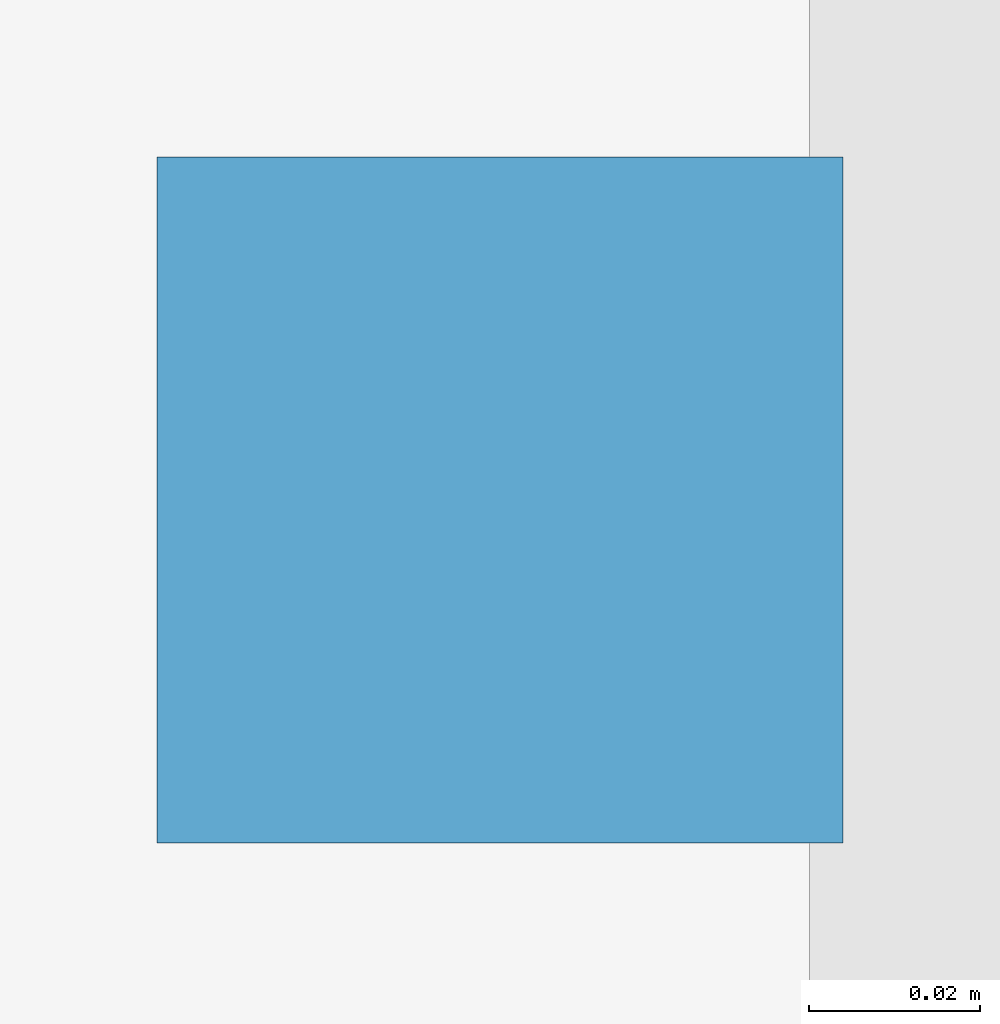
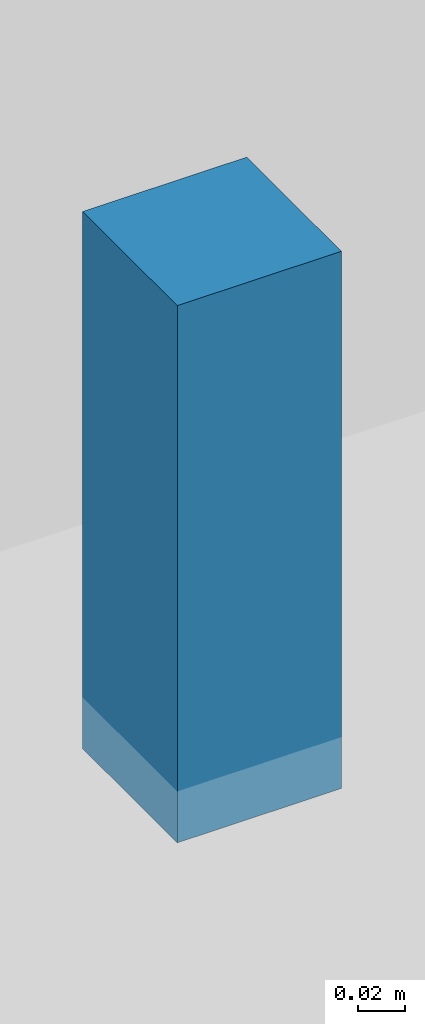
# One storey, part 102 of 116: 1 discrete accessory.
"""IFC4 building model written with IfcOpenShell, lengths in metres."""

from ifc_helpers import new_model, si_unit, direction, frame, origin, origin_2d, place, context, subcontext, project, spatial, rectangle, extrude, material, type_object, element, save


model = new_model("IFC4")

# Units and contexts
model_context = context("Model", 3, precision=1e-05, world=origin(), true_north=direction((0.0, 1.0)))
body_context = subcontext(model_context, "Body", "Model", "MODEL_VIEW")
ifc_project = project(units=[si_unit("LENGTHUNIT", "METRE"), si_unit("AREAUNIT", "SQUARE_METRE"), si_unit("VOLUMEUNIT", "CUBIC_METRE"), si_unit("PLANEANGLEUNIT", "RADIAN"), si_unit("MASSUNIT", "GRAM", prefix="KILO")], contexts=[model_context])

# Site, building, storey
site_placement = place(None, origin())
site = spatial("IfcSite", under=ifc_project, at=site_placement, CompositionType="ELEMENT")
building_placement = place(site_placement, origin())
building = spatial("IfcBuilding", under=site, at=building_placement, Name="Chalmorin Arch Market", CompositionType="ELEMENT")
storey_placement = place(building_placement, origin())
storey = spatial("IfcBuildingStorey", under=building, at=storey_placement, Name="L00", CompositionType="ELEMENT", Elevation=0.0)

# Discrete accessory
ifc_material = material(Name="Galvanized Cold-Formed Steel", Category="steel")
discrete_accessory_type = type_object("IfcDiscreteAccessoryType", Name="CeilingSuspensionBracket-80x80", PredefinedType="BRACKET", material=ifc_material)
discrete_accessory_placement = place(storey_placement, frame((105.449951171875, 81.14990234375, 4.2529296875), z_axis=(0.0, 0.0, 1.0), x_axis=(1.0, 0.0, 0.0)))
element("IfcDiscreteAccessory", 1, at=discrete_accessory_placement, inside=storey, type_object=discrete_accessory_type, Name="CSB-123", PredefinedType="BRACKET", context=body_context, shape_type="SweptSolid", body=[
    extrude(rectangle(XDim=0.080078125, YDim=0.080078125, at=origin_2d()), origin(), (0.0, 0.0, 1.0), 0.277099609375),
])

save(model, "model.ifc")
